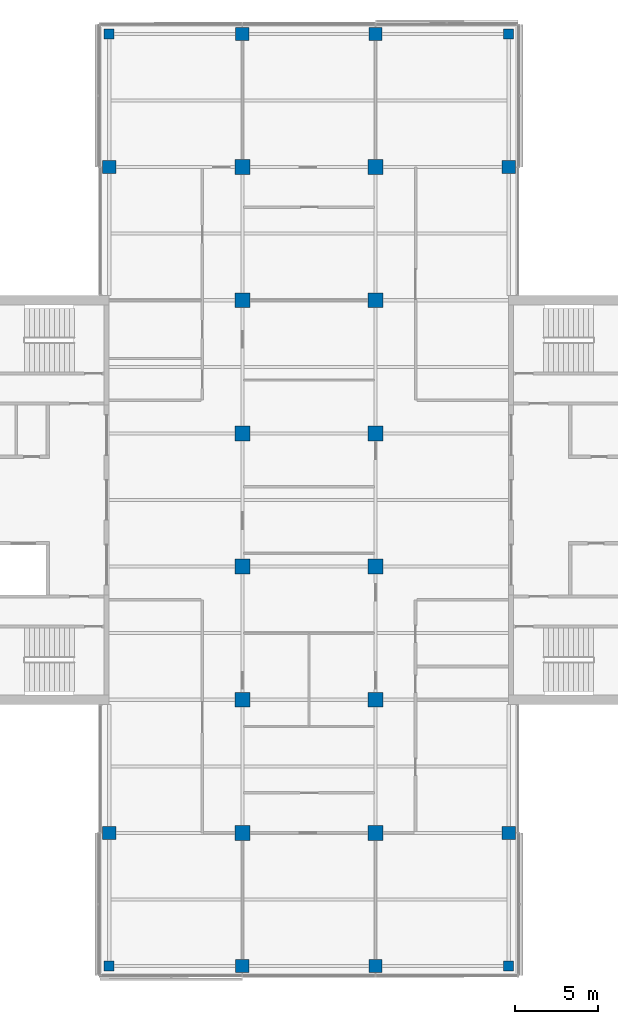
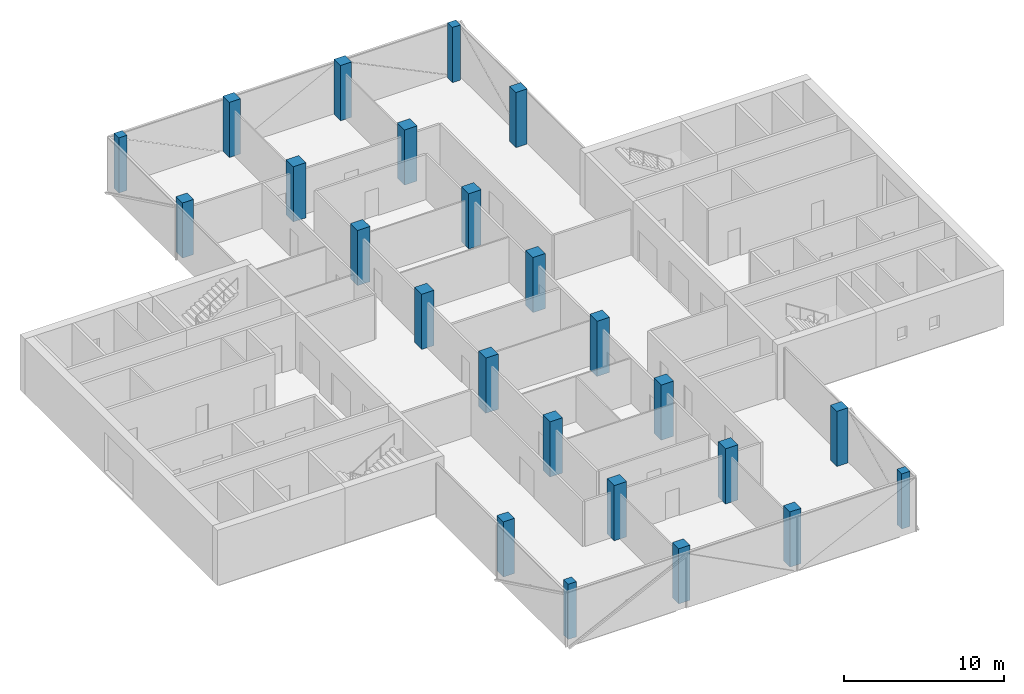
# One storey, part 1 of 15: 24 columns.
"""IFC4 building model written with IfcOpenShell, lengths in metres."""

from ifc_helpers import new_model, si_unit, direction, frame, origin, origin_2d, place, context, subcontext, project, spatial, rectangle, extrude, material, material_profile, profile_set, type_object, element, save


model = new_model("IFC4")

# Units and contexts
model_context = context("Model", 3, precision=1e-05, world=origin(), true_north=direction((0.0, 1.0)))
body_context = subcontext(model_context, "Body", "Model", "MODEL_VIEW")
ifc_project = project(units=[si_unit("LENGTHUNIT", "METRE"), si_unit("AREAUNIT", "SQUARE_METRE"), si_unit("VOLUMEUNIT", "CUBIC_METRE"), si_unit("PLANEANGLEUNIT", "RADIAN"), si_unit("MASSUNIT", "GRAM", prefix="KILO")], contexts=[model_context])

# Site, building, storey
site_placement = place(None, origin())
site = spatial("IfcSite", under=ifc_project, at=site_placement, CompositionType="ELEMENT")
building_placement = place(site_placement, origin())
building = spatial("IfcBuilding", under=site, at=building_placement, Name="Crosswind Convention Tower", CompositionType="ELEMENT")
storey_placement = place(building_placement, frame((0.0, 0.0, 187.300048828125)))
storey = spatial("IfcBuildingStorey", under=building, at=storey_placement, Name="L39", CompositionType="ELEMENT", Elevation=187.300048828125)

# Columns
ifc_material = material(Name="Concrete C60/75", Category="concrete")
ifc_material_profile_1 = material_profile(ifc_material, rectangle(XDim=0.60009765625, YDim=0.60009765625, at=origin_2d()), Name="RC 600X600")
ifc_profile_set_1 = profile_set([ifc_material_profile_1], Name="Concrete C60/75")
column_type_1 = type_object("IfcColumnType", Name="Column RC 600X600", PredefinedType="COLUMN", material=ifc_profile_set_1)
for number, where, z_axis, x_axis, name in (
    (1, (113.0, 72.0, 0.0), (0.0, 0.0, 1.0), (1.0, 0.0, 0.0), "C16 L39 5/C"),
    (2, (113.0, 128.0, 0.0), (0.0, 0.0, 1.0), (1.0, 0.0, 0.0), "C16 L39 5/J"),
    (3, (137.0, 72.0, 0.0), (0.0, 0.0, 1.0), (1.0, 0.0, 0.0), "C16 L39 8/C"),
    (4, (137.0, 128.0, 0.0), (0.0, 0.0, 1.0), (1.0, 0.0, 0.0), "C16 L39 8/J"),
):
    element("IfcColumn", number, at=place(storey_placement, frame(where, z_axis=z_axis, x_axis=x_axis)), inside=storey, type_object=column_type_1, Name=name, PredefinedType="COLUMN", context=body_context, shape_type="SweptSolid", body=[
        extrude(rectangle(XDim=0.60009765625, YDim=0.60009765625, at=origin_2d()), origin(), (0.0, 0.0, 1.0), 4.199951171875),
    ])
ifc_material_profile_2 = material_profile(ifc_material, rectangle(XDim=0.800048828125, YDim=0.800048828125, at=origin_2d()), Name="RC 800X800")
ifc_profile_set_2 = profile_set([ifc_material_profile_2], Name="Concrete C60/75")
column_type_2 = type_object("IfcColumnType", Name="Column RC 800X800", PredefinedType="COLUMN", material=ifc_profile_set_2)
for number, where, z_axis, x_axis, name in (
    (5, (113.0, 80.0, 0.0), (0.0, 0.0, 1.0), (1.0, 0.0, 0.0), "C14 L39 5/D"),
    (6, (113.0, 120.0, 0.0), (0.0, 0.0, 1.0), (1.0, 0.0, 0.0), "C14 L39 5/I"),
    (7, (121.0, 72.0, 0.0), (0.0, 0.0, 1.0), (1.0, 0.0, 0.0), "C14 L39 6/C"),
    (8, (121.0, 128.0, 0.0), (0.0, 0.0, 1.0), (1.0, 0.0, 0.0), "C14 L39 6/J"),
    (9, (129.0, 72.0, 0.0), (0.0, 0.0, 1.0), (1.0, 0.0, 0.0), "C14 L39 7/C"),
    (10, (129.0, 128.0, 0.0), (0.0, 0.0, 1.0), (1.0, 0.0, 0.0), "C14 L39 7/J"),
    (11, (137.0, 80.0, 0.0), (0.0, 0.0, 1.0), (1.0, 0.0, 0.0), "C14 L39 8/D"),
    (12, (137.0, 120.0, 0.0), (0.0, 0.0, 1.0), (1.0, 0.0, 0.0), "C14 L39 8/I"),
):
    element("IfcColumn", number, at=place(storey_placement, frame(where, z_axis=z_axis, x_axis=x_axis)), inside=storey, type_object=column_type_2, Name=name, PredefinedType="COLUMN", context=body_context, shape_type="SweptSolid", body=[
        extrude(rectangle(XDim=0.800048828125, YDim=0.800048828125, at=origin_2d()), origin(), (0.0, 0.0, 1.0), 4.199951171875),
    ])
ifc_material_profile_3 = material_profile(ifc_material, rectangle(XDim=0.89990234375, YDim=0.89990234375, at=origin_2d()), Name="RC 900X900")
ifc_profile_set_3 = profile_set([ifc_material_profile_3], Name="Concrete C60/75")
column_type_3 = type_object("IfcColumnType", Name="Column RC 900X900", PredefinedType="COLUMN", material=ifc_profile_set_3)
for number, where, z_axis, x_axis, name in (
    (13, (121.0, 80.0, 0.0), (0.0, 0.0, 1.0), (1.0, 0.0, 0.0), "C13 L39 6/D"),
    (14, (121.0, 88.0, 0.0), (0.0, 0.0, 1.0), (1.0, 0.0, 0.0), "C13 L39 6/E"),
    (15, (121.0, 96.0, 0.0), (0.0, 0.0, 1.0), (1.0, 0.0, 0.0), "C13 L39 6/F"),
    (16, (121.0, 104.0, 0.0), (0.0, 0.0, 1.0), (1.0, 0.0, 0.0), "C13 L39 6/G"),
    (17, (121.0, 112.0, 0.0), (0.0, 0.0, 1.0), (1.0, 0.0, 0.0), "C13 L39 6/H"),
    (18, (121.0, 120.0, 0.0), (0.0, 0.0, 1.0), (1.0, 0.0, 0.0), "C13 L39 6/I"),
    (19, (129.0, 80.0, 0.0), (0.0, 0.0, 1.0), (1.0, 0.0, 0.0), "C13 L39 7/D"),
    (20, (129.0, 88.0, 0.0), (0.0, 0.0, 1.0), (1.0, 0.0, 0.0), "C13 L39 7/E"),
    (21, (129.0, 96.0, 0.0), (0.0, 0.0, 1.0), (1.0, 0.0, 0.0), "C13 L39 7/F"),
    (22, (129.0, 104.0, 0.0), (0.0, 0.0, 1.0), (1.0, 0.0, 0.0), "C13 L39 7/G"),
    (23, (129.0, 112.0, 0.0), (0.0, 0.0, 1.0), (1.0, 0.0, 0.0), "C13 L39 7/H"),
    (24, (129.0, 120.0, 0.0), (0.0, 0.0, 1.0), (1.0, 0.0, 0.0), "C13 L39 7/I"),
):
    element("IfcColumn", number, at=place(storey_placement, frame(where, z_axis=z_axis, x_axis=x_axis)), inside=storey, type_object=column_type_3, Name=name, PredefinedType="COLUMN", context=body_context, shape_type="SweptSolid", body=[
        extrude(rectangle(XDim=0.89990234375, YDim=0.89990234375, at=origin_2d()), origin(), (0.0, 0.0, 1.0), 4.199951171875),
    ])

save(model, "model.ifc")
